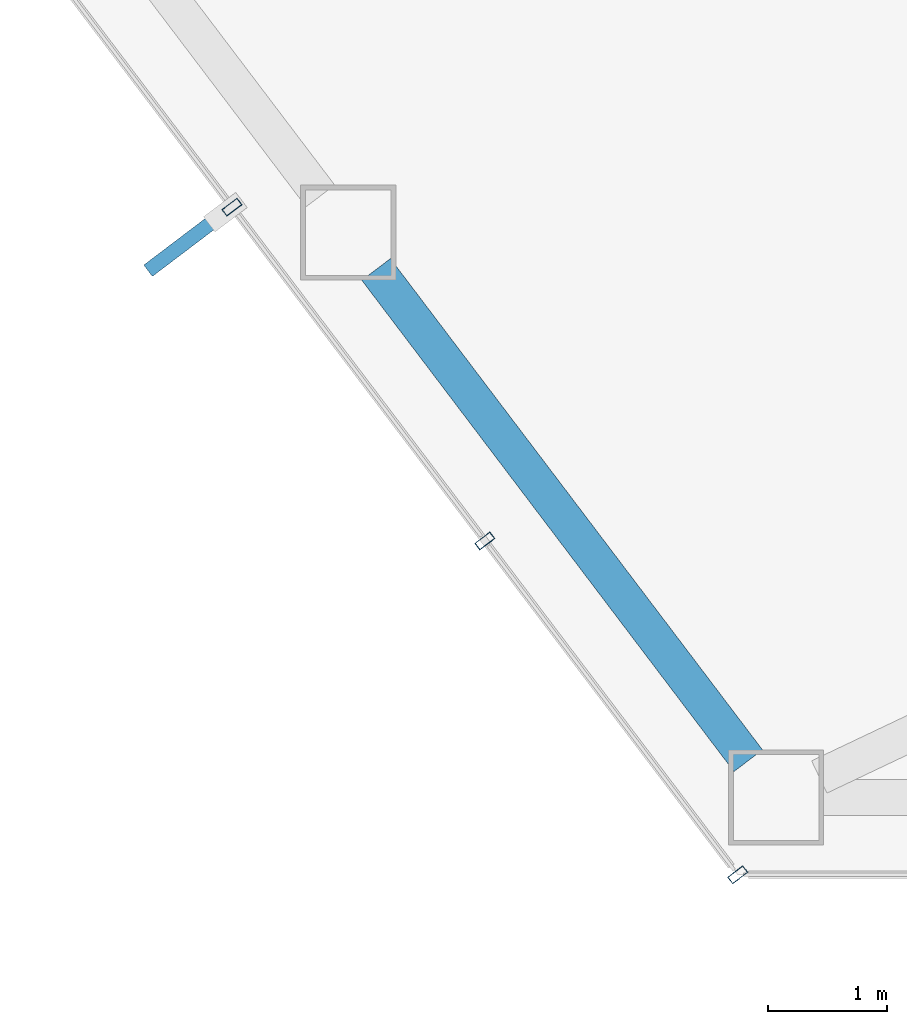
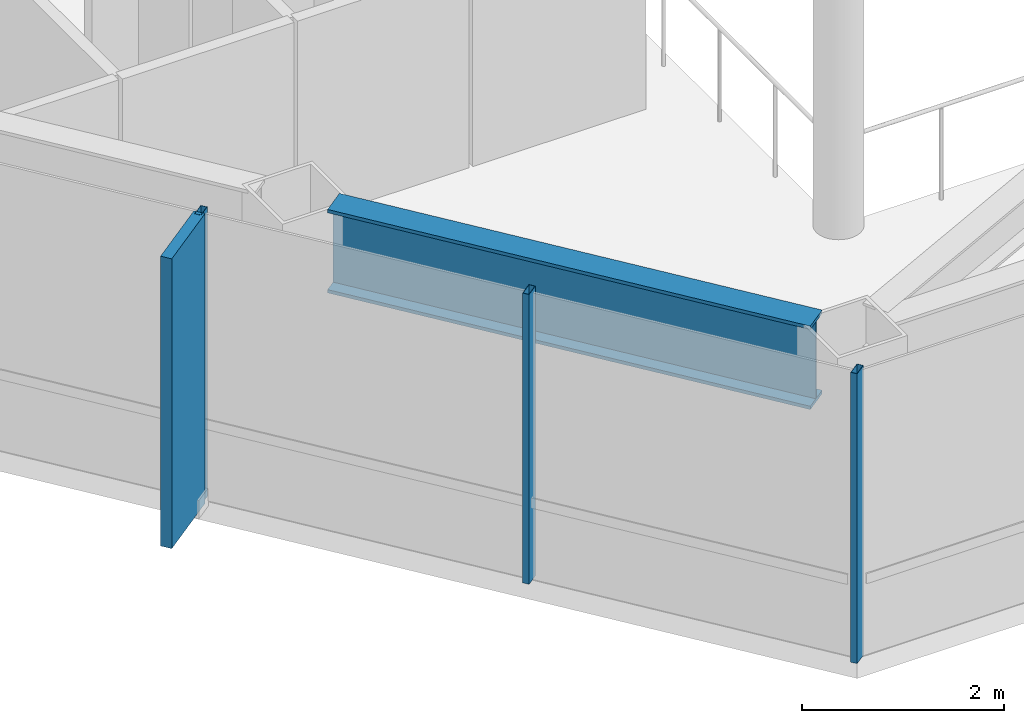
# One storey, part 2 of 28: 4 members, 1 beam, 1 element without a shape of its own.
"""IFC4 building model written with IfcOpenShell, lengths in metres."""

from ifc_helpers import new_model, si_unit, direction, frame, origin, origin_2d, place, context, subcontext, project, spatial, rectangle, hollow_rectangle, i_section, extrude, material, layer, layer_set, material_profile, profile_set, type_object, element, aggregate, save


model = new_model("IFC4")

# Units and contexts
model_context = context("Model", 3, precision=1e-05, world=origin(), true_north=direction((0.0, 1.0)))
body_context = subcontext(model_context, "Body", "Model", "MODEL_VIEW")
ifc_project = project(units=[si_unit("LENGTHUNIT", "METRE"), si_unit("AREAUNIT", "SQUARE_METRE"), si_unit("VOLUMEUNIT", "CUBIC_METRE"), si_unit("PLANEANGLEUNIT", "RADIAN"), si_unit("MASSUNIT", "GRAM", prefix="KILO")], contexts=[model_context])

# Site, building, storey
site_placement = place(None, origin())
site = spatial("IfcSite", under=ifc_project, at=site_placement, CompositionType="ELEMENT")
building_placement = place(site_placement, origin())
building = spatial("IfcBuilding", under=site, at=building_placement, Name="Zarrinselat Tower", CompositionType="ELEMENT")
storey_placement = place(building_placement, frame((0.0, 0.0, 149.60009765625)))
storey = spatial("IfcBuildingStorey", under=building, at=storey_placement, Name="L36", CompositionType="ELEMENT", Elevation=149.60009765625)

# Beam
ifc_material_1 = material(Name="Steel S460M", Category="steel")
ifc_material_profile_1 = material_profile(ifc_material_1, i_section(OverallWidth=0.302001953125, OverallDepth=1.008056640625, WebThickness=0.02099609375, FlangeThickness=0.0400390625, at=origin_2d()), Name="HEM 1000")
ifc_profile_set_1 = profile_set([ifc_material_profile_1], Name="Steel S460M")
beam_type = type_object("IfcBeamType", Name="BM-HEM1000", PredefinedType="BEAM", material=ifc_profile_set_1)
beam_placement = place(storey_placement, frame((27.177978515625, 22.922607421875, 2.995849609375), z_axis=(0.60385134038, -0.797096956914, 0.0), x_axis=(0.797096956914, 0.60385134038, 0.0)))
element("IfcBeam", 1, at=beam_placement, inside=storey, type_object=beam_type, Name="L36 Perimeter Spandrel Girder SP09", PredefinedType="BEAM", context=body_context, shape_type="SweptSolid", body=[
    extrude(i_section(OverallWidth=0.302001953125, OverallDepth=1.008056640625, WebThickness=0.02099609375, FlangeThickness=0.0400390625, at=origin_2d()), origin(), (0.0, 0.0, 1.0), 5.18359375),
])

# Curtain wall, members
ifc_material_2 = material(Name="Extruded Aluminium Alloy EN AW-6063 T6", Category="aluminium")
ifc_layer = layer(ifc_material_2, 0.175048828125)
ifc_layer_set = layer_set([ifc_layer], Name="Extruded Aluminium Alloy EN AW-6063 T6")
curtain_wall_type = type_object("IfcCurtainWallType", Name="CWS-HTL", PredefinedType="NOTDEFINED", material=ifc_layer_set)
curtain_wall_placement = place(storey_placement, origin())
curtain_wall = element("IfcCurtainWall", 2, at=curtain_wall_placement, inside=storey, type_object=curtain_wall_type, Name="L36 Unitised Curtain Wall CW-L36-E03", PredefinedType="NOTDEFINED")
ifc_material_3 = material(Name="Extruded Aluminium Alloy EN AW-6063 T6", Category="aluminium")
ifc_material_profile_2 = material_profile(ifc_material_3, hollow_rectangle(XDim=0.070068359375, YDim=0.159912109375, WallThickness=0.00390625, at=origin_2d()), Name="RHS 160x70x4")
ifc_profile_set_2 = profile_set([ifc_material_profile_2], Name="Extruded Aluminium Alloy EN AW-6063 T6")
member_type_1 = type_object("IfcMemberType", Name="MEM-CW-MUL2", PredefinedType="MULLION", material=ifc_profile_set_2)
member_1_placement = place(storey_placement, frame((25.9658203125, 23.4462890625, 0.0), z_axis=(0.0, 0.0, 1.0), x_axis=(0.603856985167, -0.7970926806, 0.0)))
member_1 = element("IfcMember", 3, at=member_1_placement, type_object=member_type_1, Name="CW-L36-E03 Mullion 5", PredefinedType="MULLION", context=body_context, shape_type="SweptSolid", body=[
    extrude(hollow_rectangle(XDim=0.070068359375, YDim=0.159912109375, WallThickness=0.00390625, at=origin_2d()), origin(), (0.0, 0.0, 1.0), 3.5),
])
member_2_placement = place(storey_placement, frame((28.0927734375, 20.638916015625, 0.0), z_axis=(0.0, 0.0, 1.0), x_axis=(0.603856985167, -0.7970926806, 0.0)))
member_2 = element("IfcMember", 4, at=member_2_placement, type_object=member_type_1, Name="CW-L36-E03 Mullion 6", PredefinedType="MULLION", context=body_context, shape_type="SweptSolid", body=[
    extrude(hollow_rectangle(XDim=0.070068359375, YDim=0.159912109375, WallThickness=0.00390625, at=origin_2d()), origin(), (0.0, 0.0, 1.0), 3.5),
])
member_3_placement = place(storey_placement, frame((30.219482421875, 17.83154296875, 0.0), z_axis=(0.0, 0.0, 1.0), x_axis=(0.603856985167, -0.7970926806, 0.0)))
member_3 = element("IfcMember", 5, at=member_3_placement, type_object=member_type_1, Name="CW-L36-E03 Mullion 7", PredefinedType="MULLION", context=body_context, shape_type="SweptSolid", body=[
    extrude(hollow_rectangle(XDim=0.070068359375, YDim=0.159912109375, WallThickness=0.00390625, at=origin_2d()), origin(), (0.0, 0.0, 1.0), 3.5),
])
ifc_material_4 = material(Name="Honed Cream Travertine Stone", Category="masonry")
ifc_material_profile_3 = material_profile(ifc_material_4, rectangle(XDim=0.1201171875, YDim=0.85009765625, at=origin_2d()), Name="FIN 850x120")
ifc_profile_set_3 = profile_set([ifc_material_profile_3], Name="Honed Cream Travertine Stone")
member_type_2 = type_object("IfcMemberType", Name="MEM-STONE-FIN", PredefinedType="USERDEFINED", material=ifc_profile_set_3)
member_4_placement = place(storey_placement, frame((25.59912109375, 23.16845703125, 0.0), z_axis=(0.0, 0.0, 1.0), x_axis=(-0.603856985167, 0.7970926806, 0.0)))
member_4 = element("IfcMember", 6, at=member_4_placement, type_object=member_type_2, Name="L36 Stone Shading Fin CW-L36-E03-05", ObjectType="FIN", PredefinedType="USERDEFINED", context=body_context, shape_type="SweptSolid", body=[
    extrude(rectangle(XDim=0.1201171875, YDim=0.85009765625, at=origin_2d()), origin(), (0.0, 0.0, 1.0), 3.5),
])
aggregate(curtain_wall, [member_1, member_4, member_2, member_3])

save(model, "model.ifc")
